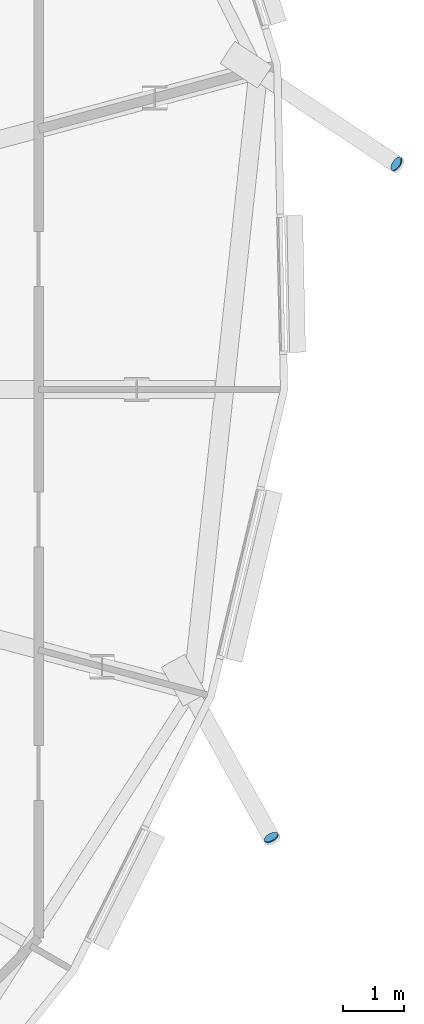
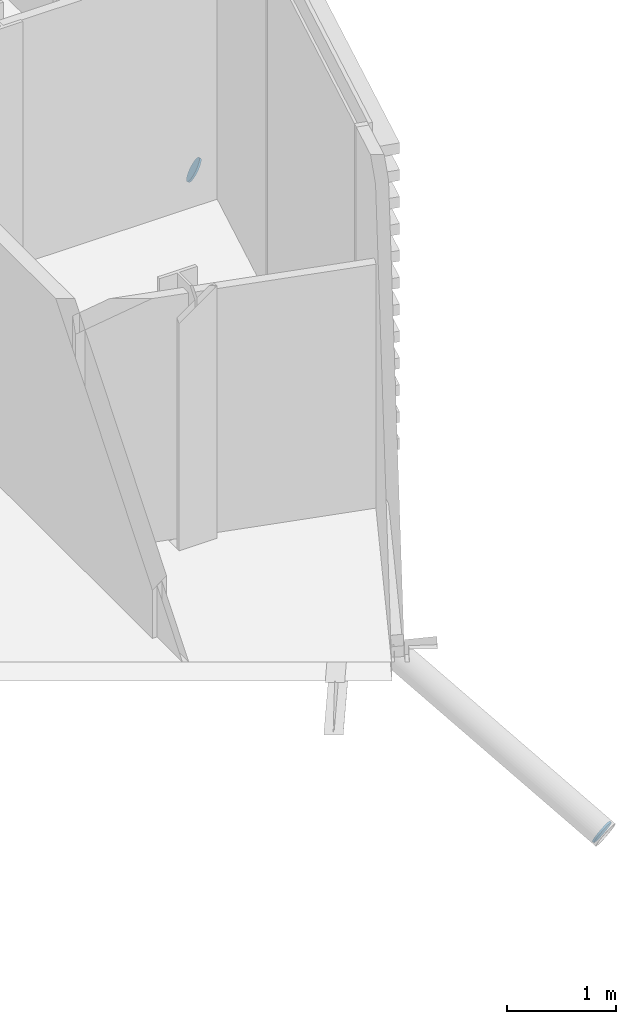
# One storey, part 33 of 41: 2 discrete accessories.
"""IFC4 building model written with IfcOpenShell, lengths in metres."""

from ifc_helpers import new_model, si_unit, direction, frame, origin, origin_2d, place, context, subcontext, project, spatial, circle, extrude, material, material_profile, profile_set, type_object, element, save


model = new_model("IFC4")

# Units and contexts
model_context = context("Model", 3, precision=1e-05, world=origin(), true_north=direction((0.0, 1.0)))
body_context = subcontext(model_context, "Body", "Model", "MODEL_VIEW")
ifc_project = project(units=[si_unit("LENGTHUNIT", "METRE"), si_unit("AREAUNIT", "SQUARE_METRE"), si_unit("VOLUMEUNIT", "CUBIC_METRE"), si_unit("PLANEANGLEUNIT", "RADIAN"), si_unit("MASSUNIT", "GRAM", prefix="KILO")], contexts=[model_context])

# Site, building, storey
site_placement = place(None, origin())
site = spatial("IfcSite", under=ifc_project, at=site_placement, CompositionType="ELEMENT")
building_placement = place(site_placement, origin())
building = spatial("IfcBuilding", under=site, at=building_placement, Name="Rimbun Link Towers", CompositionType="ELEMENT")
storey_placement = place(building_placement, frame((0.0, 0.0, 214.300048828125)))
storey = spatial("IfcBuildingStorey", under=building, at=storey_placement, Name="L52", CompositionType="ELEMENT", Elevation=214.300048828125)

# Discrete accessories
ifc_material = material(Name="Steel S355J2H", Category="steel")
ifc_material_profile = material_profile(ifc_material, circle(Radius=0.1240234375, at=origin_2d()), Name="PL D248")
ifc_profile_set = profile_set([ifc_material_profile], Name="Steel S355J2H")
discrete_accessory_type = type_object("IfcDiscreteAccessoryType", Name="Link foot sealing plate D248X20", PredefinedType="BRACKET", material=ifc_profile_set)
discrete_accessory_1_placement = place(storey_placement, frame((51.43212890625, -7.317138671875, -2.59765625), z_axis=(0.42711520851, -0.768807375317, -0.475928375197), x_axis=(0.874157276122, 0.485642931179, 0.0)))
element("IfcDiscreteAccessory", 1, at=discrete_accessory_1_placement, inside=storey, type_object=discrete_accessory_type, Name="Link foot sealing plate T2 L52 20", PredefinedType="BRACKET", context=body_context, shape_type="SweptSolid", body=[
    extrude(circle(Radius=0.1240234375, at=origin_2d()), origin(), (0.0, 0.0, 1.0), 0.02001953125),
])
discrete_accessory_2_placement = place(storey_placement, frame((53.47607421875, 3.6875, -2.600341796875), z_axis=(0.730513628188, -0.482881889819, -0.482881889819), x_axis=(0.551433013749, 0.834219174646, 0.0)))
element("IfcDiscreteAccessory", 2, at=discrete_accessory_2_placement, inside=storey, type_object=discrete_accessory_type, Name="Link foot sealing plate T2 L52 22", PredefinedType="BRACKET", context=body_context, shape_type="SweptSolid", body=[
    extrude(circle(Radius=0.1240234375, at=origin_2d()), origin(), (0.0, 0.0, 1.0), 0.019775390625),
])

save(model, "model.ifc")
